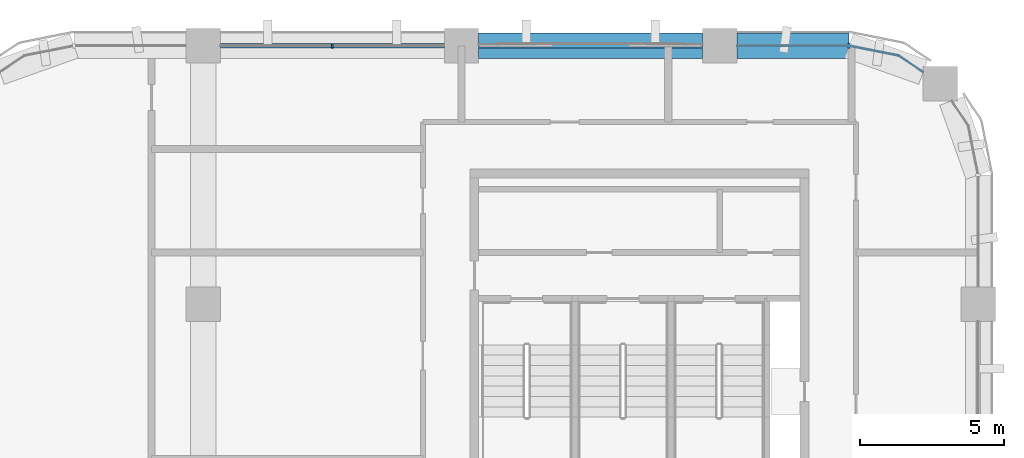
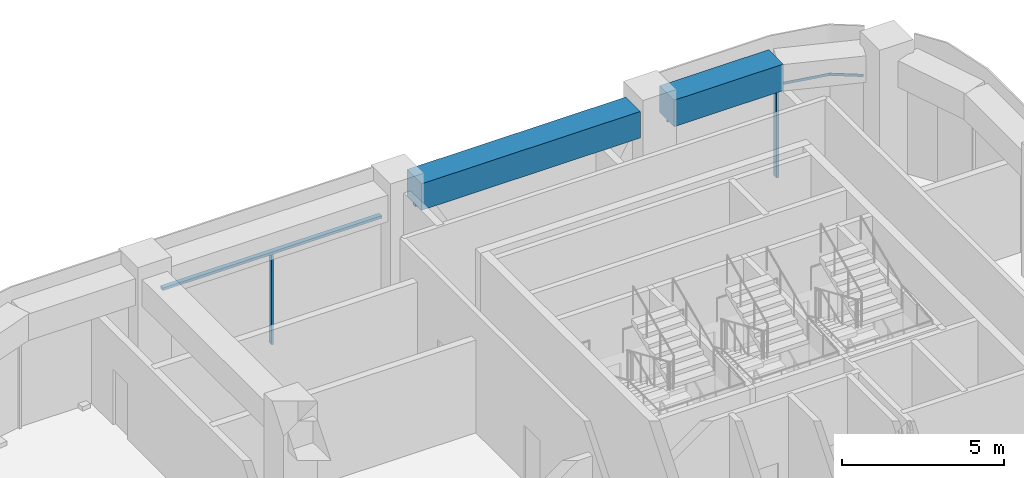
# One storey, part 4 of 11: 5 members, 2 beams, 3 elements without a shape of their own.
"""IFC4 building model written with IfcOpenShell, lengths in metres."""

import ifcopenshell
import ifcopenshell.guid

model = None  # the IFC model being written
_history = None  # IfcOwnerHistory: only IFC2X3 demands one
_inside = {}  # id of a spatial element -> (the spatial element, [elements in it])
_under = {}  # id of a project, library or spatial element -> (it, [spatial elements below it])
_declared = {}  # id of a project -> (the project, [libraries it declares])
_typed = {}  # id of a type object -> (the type object, [elements of that type])
_made_of = {}  # id of a material, layer set ... -> (it, [elements and type objects made of it])


def new_model(schema):
    """Start an empty IFC model of exactly this schema.

    Asked for "IFC4X3", IfcOpenShell would pick the latest addendum, in which some entities
    have other attributes; the version numbers below select the first issue.
    IFC2X3 requires an IfcOwnerHistory on every rooted entity: one is made here for all.
    """
    global model, _history
    if schema == "IFC4X3":
        model = ifcopenshell.file(schema_version=(4, 3, 0, 0))
    else:
        model = ifcopenshell.file(schema=schema)
    _inside.clear()
    _under.clear()
    _declared.clear()
    _typed.clear()
    _made_of.clear()
    _history = None
    if model.schema == "IFC2X3":
        org = make("IfcOrganization", Name="unknown")
        user = make(
            "IfcPersonAndOrganization",
            ThePerson=make("IfcPerson", FamilyName="unknown"),
            TheOrganization=org,
        )
        app = make(
            "IfcApplication",
            ApplicationDeveloper=org,
            Version="unknown",
            ApplicationFullName="unknown",
            ApplicationIdentifier="unknown",
        )
        _history = make(
            "IfcOwnerHistory",
            OwningUser=user,
            OwningApplication=app,
            ChangeAction="ADDED",
            CreationDate=0,
        )
    return model


def make(cls, **values):
    """One entity of the class cls with the attributes given. An attribute that is None is left unset."""
    return model.create_entity(
        cls, **{name: value for name, value in values.items() if value is not None}
    )


def rooted(cls, **values):
    """An entity with a GlobalId (a new one), such as an element, a storey or a relation."""
    return make(cls, GlobalId=ifcopenshell.guid.new(), OwnerHistory=_history, **values)


def si_unit(unit_type, name, prefix=None):
    """IfcSIUnit, for example si_unit("LENGTHUNIT", "METRE", prefix="MILLI")."""
    return make("IfcSIUnit", UnitType=unit_type, Prefix=prefix, Name=name)


def assignment(units):
    """IfcUnitAssignment: the units of a project."""
    return None if units is None else make("IfcUnitAssignment", Units=units)


def point(xyz):
    """IfcCartesianPoint."""
    return None if xyz is None else make("IfcCartesianPoint", Coordinates=xyz)


def direction(xyz):
    """IfcDirection."""
    return None if xyz is None else make("IfcDirection", DirectionRatios=xyz)


def frame(location, z_axis=None, x_axis=None):
    """IfcAxis2Placement3D, a coordinate frame: its origin and axes. An axis left out is left unset."""
    return make(
        "IfcAxis2Placement3D",
        Location=point(location),
        Axis=direction(z_axis),
        RefDirection=direction(x_axis),
    )


def frame_2d(location, x_axis=None):
    """IfcAxis2Placement2D, a coordinate frame in the plane: its origin and x axis."""
    return make(
        "IfcAxis2Placement2D", Location=point(location), RefDirection=direction(x_axis)
    )


def origin():
    """The frame at (0, 0, 0) with its axes left unset."""
    return frame((0.0, 0.0, 0.0))


def origin_2d():
    """The frame at (0, 0) in the plane with its x axis left unset."""
    return frame_2d((0.0, 0.0))


def place(relative_to, where):
    """IfcLocalPlacement: puts the frame where relative to a parent placement (None: the world)."""
    return make(
        "IfcLocalPlacement", PlacementRelTo=relative_to, RelativePlacement=where
    )


def context(
    kind, dimensions, precision=None, world=None, true_north=None, identifier=None
):
    """IfcGeometricRepresentationContext, for example the 3D "Model" context."""
    return make(
        "IfcGeometricRepresentationContext",
        ContextIdentifier=identifier,
        ContextType=kind,
        CoordinateSpaceDimension=dimensions,
        Precision=precision,
        WorldCoordinateSystem=world,
        TrueNorth=true_north,
    )


def subcontext(parent, identifier, kind, view, scale=None):
    """IfcGeometricRepresentationSubContext, for example "Body" below "Model"."""
    return make(
        "IfcGeometricRepresentationSubContext",
        ContextIdentifier=identifier,
        ContextType=kind,
        ParentContext=parent,
        TargetScale=scale,
        TargetView=view,
    )


def project(units=None, contexts=None):
    """IfcProject with its units and contexts."""
    return rooted(
        "IfcProject",
        Name="project",
        RepresentationContexts=contexts,
        UnitsInContext=assignment(units),
    )


def spatial(cls, under=None, at=None, **own):
    """A site, building, storey or space (cls), placed at a placement, below another one or the project."""
    s = rooted(cls, ObjectPlacement=at, **own)
    if under is not None:
        _under.setdefault(under.id(), (under, []))[1].append(s)
    return s


def polyline(points):
    """IfcPolyline through the points."""
    return make("IfcPolyline", Points=[point(p) for p in points])


def profile(cls, at=None, kind="AREA", **sizes):
    """A parametric profile (cls). Its sizes go by their IFC names, for example OverallWidth=200.0."""
    return make(cls, ProfileType=kind, Position=at, **sizes)


def rectangle(**sizes):
    """IfcRectangleProfileDef."""
    return profile("IfcRectangleProfileDef", **sizes)


def outline(outer, holes=None, kind="AREA"):
    """IfcArbitraryClosedProfileDef: a profile drawn as a closed curve; with holes, ...WithVoids."""
    if holes is None:
        return make("IfcArbitraryClosedProfileDef", ProfileType=kind, OuterCurve=outer)
    return make(
        "IfcArbitraryProfileDefWithVoids",
        ProfileType=kind,
        OuterCurve=outer,
        InnerCurves=holes,
    )


def extrude(swept, where, along, depth):
    """IfcExtrudedAreaSolid: the profile swept, set in the frame where, extruded along a direction by depth."""
    return make(
        "IfcExtrudedAreaSolid",
        SweptArea=swept,
        Position=where,
        ExtrudedDirection=direction(along),
        Depth=depth,
    )


def shape(context_of_items, identifier, shape_type, items):
    """IfcShapeRepresentation: the items that make up one representation, for example the "Body"."""
    return make(
        "IfcShapeRepresentation",
        ContextOfItems=context_of_items,
        RepresentationIdentifier=identifier,
        RepresentationType=shape_type,
        Items=items,
    )


def material(Name=None, Category=None):
    """IfcMaterial."""
    return make("IfcMaterial", Name=Name, Category=Category)


def material_profile(
    of_material, cross_section, Name=None, Category=None, Priority=None
):
    """IfcMaterialProfile: a cross section and its material."""
    return make(
        "IfcMaterialProfile",
        Name=Name,
        Material=of_material,
        Profile=cross_section,
        Priority=Priority,
        Category=Category,
    )


def profile_set(profiles, Name=None, composite=None):
    """IfcMaterialProfileSet."""
    return make(
        "IfcMaterialProfileSet",
        Name=Name,
        MaterialProfiles=profiles,
        CompositeProfile=composite,
    )


def made_of(thing, what):
    """Note that an element or type object is made of a material, layer set ...; save() writes the relation."""
    if what is not None:
        _made_of.setdefault(what.id(), (what, []))[1].append(thing)
    return thing


def type_object(cls, material=None, **own):
    """A type object (cls), such as IfcWallType, which elements share."""
    return made_of(rooted(cls, **own), material)


def element(
    cls,
    number,
    at=None,
    inside=None,
    cuts=None,
    type_object=None,
    material=None,
    context=None,
    identifier="Body",
    shape_type=None,
    held_by="IfcProductDefinitionShape",
    body=None,
    shapes=None,
    **own,
):
    """One element of the class cls, such as IfcWall. Its Tag is "e" and its number.

    at: its placement. inside: the storey or other place that contains it. cuts: it is an
    opening in that element (IfcRelVoidsElement). A single representation is given by context,
    identifier, shape_type and body (its items); several are given by shapes. held_by: the class
    of the entity that holds the representations. save() writes the other relations.
    """
    e = rooted(cls, Tag="e%d" % number, ObjectPlacement=at, **own)
    if body is not None:
        shapes = [shape(context, identifier, shape_type, body)]
    if shapes is not None:
        e.Representation = make(held_by, Representations=shapes)
    if inside is not None:
        _inside.setdefault(inside.id(), (inside, []))[1].append(e)
    if cuts is not None:
        rooted(
            "IfcRelVoidsElement", RelatingBuildingElement=cuts, RelatedOpeningElement=e
        )
    if type_object is not None:
        _typed.setdefault(type_object.id(), (type_object, []))[1].append(e)
    return made_of(e, material)


def aggregate(whole, parts):
    """IfcRelAggregates: a whole, such as a stair, and the parts it consists of."""
    return rooted("IfcRelAggregates", RelatingObject=whole, RelatedObjects=parts)


def save(model, path):
    """Write the relations noted so far, then the file.

    IfcRelAggregates (storeys below a building ...), IfcRelContainedInSpatialStructure (elements
    in a storey), IfcRelDefinesByType, IfcRelAssociatesMaterial and IfcRelDeclares: one each for
    every whole, place, type object, material and project.
    """
    for whole, parts in _under.values():
        aggregate(whole, parts)
    for where, things in _inside.values():
        rooted(
            "IfcRelContainedInSpatialStructure",
            RelatedElements=things,
            RelatingStructure=where,
        )
    for kind, things in _typed.values():
        rooted("IfcRelDefinesByType", RelatedObjects=things, RelatingType=kind)
    for what, things in _made_of.values():
        rooted("IfcRelAssociatesMaterial", RelatedObjects=things, RelatingMaterial=what)
    for by, libraries in _declared.values():
        rooted("IfcRelDeclares", RelatingContext=by, RelatedDefinitions=libraries)
    model.write(path)


model = new_model("IFC4")

# Units and contexts
model_context = context("Model", 3, precision=1e-05, world=origin(), true_north=direction((0.0, 1.0)))
body_context = subcontext(model_context, "Body", "Model", "MODEL_VIEW")
ifc_project = project(units=[si_unit("LENGTHUNIT", "METRE"), si_unit("AREAUNIT", "SQUARE_METRE"), si_unit("VOLUMEUNIT", "CUBIC_METRE"), si_unit("PLANEANGLEUNIT", "RADIAN"), si_unit("MASSUNIT", "GRAM", prefix="KILO")], contexts=[model_context])

# Site, building, storey
site_placement = place(None, origin())
site = spatial("IfcSite", under=ifc_project, at=site_placement, CompositionType="ELEMENT")
building_placement = place(site_placement, origin())
building = spatial("IfcBuilding", under=site, at=building_placement, Name="Tessera Arch", CompositionType="ELEMENT")
storey_placement = place(building_placement, frame((0.0, 0.0, 290.199951171875)))
storey = spatial("IfcBuildingStorey", under=building, at=storey_placement, Name="L70", CompositionType="ELEMENT", Elevation=290.199951171875)

# Curtain wall, members
ifc_material_1 = material(Name="CW1 curtain wall")
curtain_wall_type_1 = type_object("IfcCurtainWallType", Name="CW1 curtain wall", PredefinedType="NOTDEFINED", material=ifc_material_1)
curtain_wall_1_placement = place(storey_placement, origin())
curtain_wall_1 = element("IfcCurtainWall", 1, at=curtain_wall_1_placement, inside=storey, type_object=curtain_wall_type_1, Name="CW1 curtain wall N54.18/2 L70", PredefinedType="NOTDEFINED")
ifc_material_2 = material(Name="Anodised aluminium pale metal", Category="aluminium")
ifc_material_profile_1 = material_profile(ifc_material_2, rectangle(XDim=0.159912109375, YDim=0.06005859375, at=origin_2d()), Name="AL 60x160")
ifc_profile_set_1 = profile_set([ifc_material_profile_1], Name="Anodised aluminium pale metal")
member_type_1 = type_object("IfcMemberType", Name="CW1 mullion", PredefinedType="MULLION", material=ifc_profile_set_1)
member_1_placement = place(storey_placement, frame((31.5, 54.0, 0.0), z_axis=(0.0, 0.0, 1.0), x_axis=(0.0, -1.0, 0.0)))
member_1 = element("IfcMember", 2, at=member_1_placement, type_object=member_type_1, Name="CW1 mullion N54.18/2 1", PredefinedType="MULLION", context=body_context, shape_type="SweptSolid", body=[
    extrude(rectangle(XDim=0.159912109375, YDim=0.06005859375, at=origin_2d()), origin(), (0.0, 0.0, 1.0), 3.400146484375),
])
ifc_material_3 = material(Name="Anodised aluminium pale metal", Category="aluminium")
ifc_material_profile_2 = material_profile(ifc_material_3, rectangle(XDim=0.159912109375, YDim=0.10009765625, at=origin_2d()), Name="AL 160x100")
ifc_profile_set_2 = profile_set([ifc_material_profile_2], Name="Anodised aluminium pale metal")
member_type_2 = type_object("IfcMemberType", Name="CW1 transom", PredefinedType="USERDEFINED", material=ifc_profile_set_2)
member_2_placement = place(storey_placement, frame((35.39990234375, 54.0, 3.449951171875), z_axis=(-1.0, 0.0, 0.0), x_axis=(0.0, -1.0, 0.0)))
member_2 = element("IfcMember", 3, at=member_2_placement, type_object=member_type_2, Name="CW1 transom N54.18/2 1.1", ObjectType="TRANSOM", PredefinedType="USERDEFINED", context=body_context, shape_type="SweptSolid", body=[
    extrude(rectangle(XDim=0.159912109375, YDim=0.10009765625, at=origin_2d()), origin(), (0.0, 0.0, 1.0), 7.7998046875),
])
aggregate(curtain_wall_1, [member_1, member_2])

ifc_material_4 = material(Name="CW2 curtain wall")
curtain_wall_type_2 = type_object("IfcCurtainWallType", Name="CW2 curtain wall", PredefinedType="NOTDEFINED", material=ifc_material_4)
curtain_wall_2_placement = place(storey_placement, origin())
curtain_wall_2 = element("IfcCurtainWall", 4, at=curtain_wall_2_placement, inside=storey, type_object=curtain_wall_type_2, Name="CW2 curtain wall N54.18/0 L70", PredefinedType="NOTDEFINED")
ifc_material_5 = material(Name="Anodised aluminium pale metal", Category="aluminium")
ifc_material_profile_3 = material_profile(ifc_material_5, rectangle(XDim=0.199951171875, YDim=0.080078125, at=origin_2d()), Name="AL 80x200")
ifc_profile_set_3 = profile_set([ifc_material_profile_3], Name="Anodised aluminium pale metal")
member_type_3 = type_object("IfcMemberType", Name="CW2 mullion", PredefinedType="MULLION", material=ifc_profile_set_3)
member_3_placement = place(storey_placement, frame((49.5, 54.0, 0.0), z_axis=(0.0, 0.0, 1.0), x_axis=(0.0, -1.0, 0.0)))
member_3 = element("IfcMember", 5, at=member_3_placement, type_object=member_type_3, Name="CW2 mullion N54.18/0 1", PredefinedType="MULLION", context=body_context, shape_type="SweptSolid", body=[
    extrude(rectangle(XDim=0.199951171875, YDim=0.080078125, at=origin_2d()), origin(), (0.0, 0.0, 1.0), 3.400146484375),
])
ifc_material_6 = material(Name="Anodised aluminium pale metal", Category="aluminium")
ifc_material_profile_4 = material_profile(ifc_material_6, rectangle(XDim=0.199951171875, YDim=0.10009765625, at=origin_2d()), Name="AL 200x100")
ifc_profile_set_4 = profile_set([ifc_material_profile_4], Name="Anodised aluminium pale metal")
member_type_4 = type_object("IfcMemberType", Name="CW2 transom", PredefinedType="USERDEFINED", material=ifc_profile_set_4)
member_4_placement = place(storey_placement, frame((0.0, 0.0, 3.400146484375)))
member_4 = element("IfcMember", 6, at=member_4_placement, type_object=member_type_4, Name="CW2 transom N54.18/0 1", ObjectType="TRANSOM", PredefinedType="USERDEFINED", context=body_context, shape_type="SweptSolid", body=[
    extrude(outline(polyline([(51.21826171875, 53.648193359375), (52.076416015625, 53.07470703125), (52.087646484375, 53.09130859375), (51.22607421875, 53.6669921875), (49.5009765625, 54.010009765625), (45.60009765625, 54.010009765625), (45.60009765625, 53.989990234375), (49.4990234375, 53.989990234375), (51.21826171875, 53.648193359375)])), origin(), (0.0, 0.0, 1.0), 0.099853515625),
])
aggregate(curtain_wall_2, [member_3, member_4])

# Curtain wall, member
ifc_material_7 = material(Name="CW3 curtain wall")
curtain_wall_type_3 = type_object("IfcCurtainWallType", Name="CW3 curtain wall", PredefinedType="NOTDEFINED", material=ifc_material_7)
curtain_wall_3_placement = place(storey_placement, origin())
curtain_wall_3 = element("IfcCurtainWall", 7, at=curtain_wall_3_placement, inside=storey, type_object=curtain_wall_type_3, Name="CW3 curtain wall N54.18/1 L70", PredefinedType="NOTDEFINED")
ifc_material_8 = material(Name="Anodised aluminium pale metal", Category="aluminium")
ifc_material_profile_5 = material_profile(ifc_material_8, rectangle(XDim=0.139892578125, YDim=0.10009765625, at=origin_2d()), Name="AL 140x100")
ifc_profile_set_5 = profile_set([ifc_material_profile_5], Name="Anodised aluminium pale metal")
member_type_5 = type_object("IfcMemberType", Name="CW3 transom", PredefinedType="USERDEFINED", material=ifc_profile_set_5)
member_5_placement = place(storey_placement, frame((44.39990234375, 54.0, 3.449951171875), z_axis=(-1.0, 0.0, 0.0), x_axis=(0.0, -1.0, 0.0)))
member_5 = element("IfcMember", 8, at=member_5_placement, type_object=member_type_5, Name="CW3 transom N54.18/1 1.1", ObjectType="TRANSOM", PredefinedType="USERDEFINED", context=body_context, shape_type="SweptSolid", body=[
    extrude(rectangle(XDim=0.139892578125, YDim=0.10009765625, at=origin_2d()), origin(), (0.0, 0.0, 1.0), 7.7998046875),
])
aggregate(curtain_wall_3, [member_5])

# Beams
ifc_material_9 = material(Name="Concrete C60/75", Category="concrete")
ifc_material_profile_6 = material_profile(ifc_material_9, rectangle(XDim=0.89990234375, YDim=1.0, at=origin_2d()), Name="RC spandrel beam 900 x 1000 Concrete C60/75")
ifc_profile_set_6 = profile_set([ifc_material_profile_6], Name="Concrete C60/75")
beam_type = type_object("IfcBeamType", Name="RC spandrel beam 900 x 1000 Concrete C60/75", PredefinedType="BEAM", material=ifc_profile_set_6)
beam_1_placement = place(storey_placement, frame((49.5, 54.0, 4.0), z_axis=(-1.0, 0.0, 0.0), x_axis=(0.0, -1.0, 0.0)))
element("IfcBeam", 9, at=beam_1_placement, inside=storey, type_object=beam_type, Name="Spandrel beam L70 N54.18/0.2", PredefinedType="BEAM", context=body_context, shape_type="SweptSolid", body=[
    extrude(rectangle(XDim=0.89990234375, YDim=1.0, at=origin_2d()), origin(), (0.0, 0.0, 1.0), 3.89990234375),
])
beam_2_placement = place(storey_placement, frame((44.39990234375, 54.0, 4.0), z_axis=(-1.0, 0.0, 0.0), x_axis=(0.0, -1.0, 0.0)))
element("IfcBeam", 10, at=beam_2_placement, inside=storey, type_object=beam_type, Name="Spandrel beam L70 N54.18/1", PredefinedType="BEAM", context=body_context, shape_type="SweptSolid", body=[
    extrude(rectangle(XDim=0.89990234375, YDim=1.0, at=origin_2d()), origin(), (0.0, 0.0, 1.0), 7.7998046875),
])

save(model, "model.ifc")
